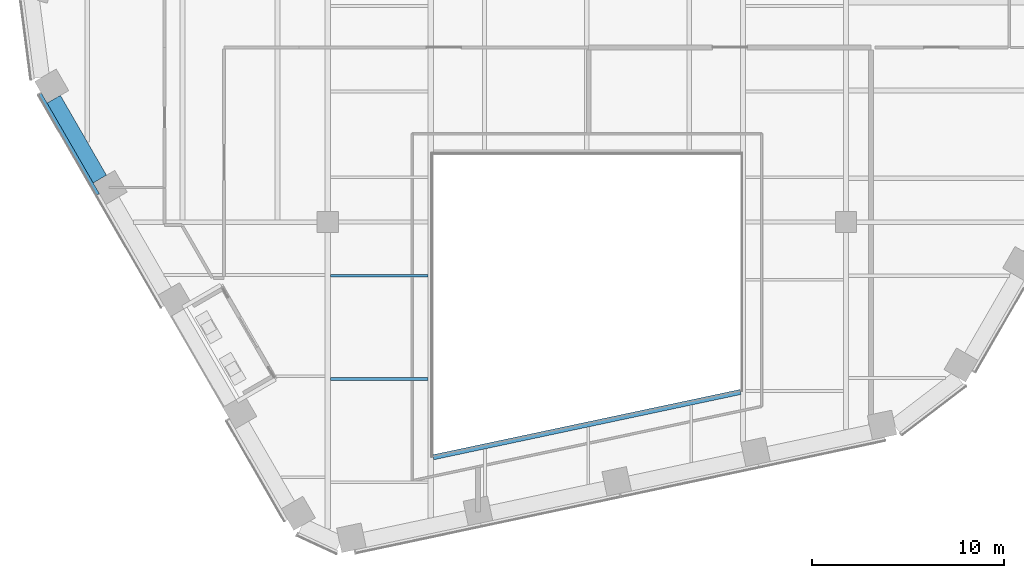
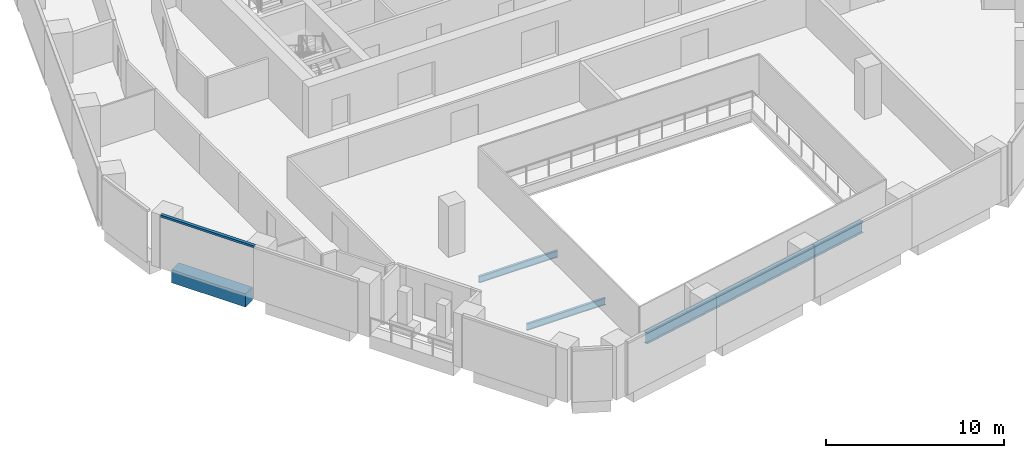
# One storey, part 3 of 26: 4 beams, 1 member, 1 element without a shape of its own.
"""IFC4 building model written with IfcOpenShell, lengths in metres."""

import ifcopenshell
import ifcopenshell.guid

model = None  # the IFC model being written
_history = None  # IfcOwnerHistory: only IFC2X3 demands one
_inside = {}  # id of a spatial element -> (the spatial element, [elements in it])
_under = {}  # id of a project, library or spatial element -> (it, [spatial elements below it])
_declared = {}  # id of a project -> (the project, [libraries it declares])
_typed = {}  # id of a type object -> (the type object, [elements of that type])
_made_of = {}  # id of a material, layer set ... -> (it, [elements and type objects made of it])


def new_model(schema):
    """Start an empty IFC model of exactly this schema.

    Asked for "IFC4X3", IfcOpenShell would pick the latest addendum, in which some entities
    have other attributes; the version numbers below select the first issue.
    IFC2X3 requires an IfcOwnerHistory on every rooted entity: one is made here for all.
    """
    global model, _history
    if schema == "IFC4X3":
        model = ifcopenshell.file(schema_version=(4, 3, 0, 0))
    else:
        model = ifcopenshell.file(schema=schema)
    _inside.clear()
    _under.clear()
    _declared.clear()
    _typed.clear()
    _made_of.clear()
    _history = None
    if model.schema == "IFC2X3":
        org = make("IfcOrganization", Name="unknown")
        user = make(
            "IfcPersonAndOrganization",
            ThePerson=make("IfcPerson", FamilyName="unknown"),
            TheOrganization=org,
        )
        app = make(
            "IfcApplication",
            ApplicationDeveloper=org,
            Version="unknown",
            ApplicationFullName="unknown",
            ApplicationIdentifier="unknown",
        )
        _history = make(
            "IfcOwnerHistory",
            OwningUser=user,
            OwningApplication=app,
            ChangeAction="ADDED",
            CreationDate=0,
        )
    return model


def make(cls, **values):
    """One entity of the class cls with the attributes given. An attribute that is None is left unset."""
    return model.create_entity(
        cls, **{name: value for name, value in values.items() if value is not None}
    )


def rooted(cls, **values):
    """An entity with a GlobalId (a new one), such as an element, a storey or a relation."""
    return make(cls, GlobalId=ifcopenshell.guid.new(), OwnerHistory=_history, **values)


def si_unit(unit_type, name, prefix=None):
    """IfcSIUnit, for example si_unit("LENGTHUNIT", "METRE", prefix="MILLI")."""
    return make("IfcSIUnit", UnitType=unit_type, Prefix=prefix, Name=name)


def assignment(units):
    """IfcUnitAssignment: the units of a project."""
    return None if units is None else make("IfcUnitAssignment", Units=units)


def point(xyz):
    """IfcCartesianPoint."""
    return None if xyz is None else make("IfcCartesianPoint", Coordinates=xyz)


def direction(xyz):
    """IfcDirection."""
    return None if xyz is None else make("IfcDirection", DirectionRatios=xyz)


def frame(location, z_axis=None, x_axis=None):
    """IfcAxis2Placement3D, a coordinate frame: its origin and axes. An axis left out is left unset."""
    return make(
        "IfcAxis2Placement3D",
        Location=point(location),
        Axis=direction(z_axis),
        RefDirection=direction(x_axis),
    )


def frame_2d(location, x_axis=None):
    """IfcAxis2Placement2D, a coordinate frame in the plane: its origin and x axis."""
    return make(
        "IfcAxis2Placement2D", Location=point(location), RefDirection=direction(x_axis)
    )


def origin():
    """The frame at (0, 0, 0) with its axes left unset."""
    return frame((0.0, 0.0, 0.0))


def origin_2d():
    """The frame at (0, 0) in the plane with its x axis left unset."""
    return frame_2d((0.0, 0.0))


def place(relative_to, where):
    """IfcLocalPlacement: puts the frame where relative to a parent placement (None: the world)."""
    return make(
        "IfcLocalPlacement", PlacementRelTo=relative_to, RelativePlacement=where
    )


def context(
    kind, dimensions, precision=None, world=None, true_north=None, identifier=None
):
    """IfcGeometricRepresentationContext, for example the 3D "Model" context."""
    return make(
        "IfcGeometricRepresentationContext",
        ContextIdentifier=identifier,
        ContextType=kind,
        CoordinateSpaceDimension=dimensions,
        Precision=precision,
        WorldCoordinateSystem=world,
        TrueNorth=true_north,
    )


def subcontext(parent, identifier, kind, view, scale=None):
    """IfcGeometricRepresentationSubContext, for example "Body" below "Model"."""
    return make(
        "IfcGeometricRepresentationSubContext",
        ContextIdentifier=identifier,
        ContextType=kind,
        ParentContext=parent,
        TargetScale=scale,
        TargetView=view,
    )


def project(units=None, contexts=None):
    """IfcProject with its units and contexts."""
    return rooted(
        "IfcProject",
        Name="project",
        RepresentationContexts=contexts,
        UnitsInContext=assignment(units),
    )


def spatial(cls, under=None, at=None, **own):
    """A site, building, storey or space (cls), placed at a placement, below another one or the project."""
    s = rooted(cls, ObjectPlacement=at, **own)
    if under is not None:
        _under.setdefault(under.id(), (under, []))[1].append(s)
    return s


def profile(cls, at=None, kind="AREA", **sizes):
    """A parametric profile (cls). Its sizes go by their IFC names, for example OverallWidth=200.0."""
    return make(cls, ProfileType=kind, Position=at, **sizes)


def rectangle(**sizes):
    """IfcRectangleProfileDef."""
    return profile("IfcRectangleProfileDef", **sizes)


def i_section(**sizes):
    """IfcIShapeProfileDef."""
    return profile("IfcIShapeProfileDef", **sizes)


def extrude(swept, where, along, depth):
    """IfcExtrudedAreaSolid: the profile swept, set in the frame where, extruded along a direction by depth."""
    return make(
        "IfcExtrudedAreaSolid",
        SweptArea=swept,
        Position=where,
        ExtrudedDirection=direction(along),
        Depth=depth,
    )


def shape(context_of_items, identifier, shape_type, items):
    """IfcShapeRepresentation: the items that make up one representation, for example the "Body"."""
    return make(
        "IfcShapeRepresentation",
        ContextOfItems=context_of_items,
        RepresentationIdentifier=identifier,
        RepresentationType=shape_type,
        Items=items,
    )


def material(Name=None, Category=None):
    """IfcMaterial."""
    return make("IfcMaterial", Name=Name, Category=Category)


def layer(
    of_material, thickness, ventilated=None, Name=None, Category=None, Priority=None
):
    """IfcMaterialLayer: one layer of a wall or slab, of a material (None: an air gap)."""
    return make(
        "IfcMaterialLayer",
        Material=of_material,
        LayerThickness=thickness,
        IsVentilated=ventilated,
        Name=Name,
        Category=Category,
        Priority=Priority,
    )


def layer_set(layers, Name=None):
    """IfcMaterialLayerSet."""
    return make("IfcMaterialLayerSet", MaterialLayers=layers, LayerSetName=Name)


def material_profile(
    of_material, cross_section, Name=None, Category=None, Priority=None
):
    """IfcMaterialProfile: a cross section and its material."""
    return make(
        "IfcMaterialProfile",
        Name=Name,
        Material=of_material,
        Profile=cross_section,
        Priority=Priority,
        Category=Category,
    )


def profile_set(profiles, Name=None, composite=None):
    """IfcMaterialProfileSet."""
    return make(
        "IfcMaterialProfileSet",
        Name=Name,
        MaterialProfiles=profiles,
        CompositeProfile=composite,
    )


def made_of(thing, what):
    """Note that an element or type object is made of a material, layer set ...; save() writes the relation."""
    if what is not None:
        _made_of.setdefault(what.id(), (what, []))[1].append(thing)
    return thing


def type_object(cls, material=None, **own):
    """A type object (cls), such as IfcWallType, which elements share."""
    return made_of(rooted(cls, **own), material)


def element(
    cls,
    number,
    at=None,
    inside=None,
    cuts=None,
    type_object=None,
    material=None,
    context=None,
    identifier="Body",
    shape_type=None,
    held_by="IfcProductDefinitionShape",
    body=None,
    shapes=None,
    **own,
):
    """One element of the class cls, such as IfcWall. Its Tag is "e" and its number.

    at: its placement. inside: the storey or other place that contains it. cuts: it is an
    opening in that element (IfcRelVoidsElement). A single representation is given by context,
    identifier, shape_type and body (its items); several are given by shapes. held_by: the class
    of the entity that holds the representations. save() writes the other relations.
    """
    e = rooted(cls, Tag="e%d" % number, ObjectPlacement=at, **own)
    if body is not None:
        shapes = [shape(context, identifier, shape_type, body)]
    if shapes is not None:
        e.Representation = make(held_by, Representations=shapes)
    if inside is not None:
        _inside.setdefault(inside.id(), (inside, []))[1].append(e)
    if cuts is not None:
        rooted(
            "IfcRelVoidsElement", RelatingBuildingElement=cuts, RelatedOpeningElement=e
        )
    if type_object is not None:
        _typed.setdefault(type_object.id(), (type_object, []))[1].append(e)
    return made_of(e, material)


def aggregate(whole, parts):
    """IfcRelAggregates: a whole, such as a stair, and the parts it consists of."""
    return rooted("IfcRelAggregates", RelatingObject=whole, RelatedObjects=parts)


def save(model, path):
    """Write the relations noted so far, then the file.

    IfcRelAggregates (storeys below a building ...), IfcRelContainedInSpatialStructure (elements
    in a storey), IfcRelDefinesByType, IfcRelAssociatesMaterial and IfcRelDeclares: one each for
    every whole, place, type object, material and project.
    """
    for whole, parts in _under.values():
        aggregate(whole, parts)
    for where, things in _inside.values():
        rooted(
            "IfcRelContainedInSpatialStructure",
            RelatedElements=things,
            RelatingStructure=where,
        )
    for kind, things in _typed.values():
        rooted("IfcRelDefinesByType", RelatedObjects=things, RelatingType=kind)
    for what, things in _made_of.values():
        rooted("IfcRelAssociatesMaterial", RelatedObjects=things, RelatingMaterial=what)
    for by, libraries in _declared.values():
        rooted("IfcRelDeclares", RelatingContext=by, RelatedDefinitions=libraries)
    model.write(path)


model = new_model("IFC4")

# Units and contexts
model_context = context("Model", 3, precision=1e-05, world=origin(), true_north=direction((0.0, 1.0)))
body_context = subcontext(model_context, "Body", "Model", "MODEL_VIEW")
ifc_project = project(units=[si_unit("LENGTHUNIT", "METRE"), si_unit("AREAUNIT", "SQUARE_METRE"), si_unit("VOLUMEUNIT", "CUBIC_METRE"), si_unit("PLANEANGLEUNIT", "RADIAN"), si_unit("MASSUNIT", "GRAM", prefix="KILO")], contexts=[model_context])

# Site, building, storey
site_placement = place(None, origin())
site = spatial("IfcSite", under=ifc_project, at=site_placement, CompositionType="ELEMENT")
building_placement = place(site_placement, origin())
building = spatial("IfcBuilding", under=site, at=building_placement, Name="Isthmus Gate Tower", CompositionType="ELEMENT")
storey_placement = place(building_placement, frame((0.0, 0.0, 189.050048828125)))
storey = spatial("IfcBuildingStorey", under=building, at=storey_placement, Name="L47", CompositionType="ELEMENT", Elevation=189.050048828125)

# Curtain wall, member
ifc_material_1 = material(Name="Aluminium, pale champagne anodised", Category="aluminium")
ifc_layer = layer(ifc_material_1, 0.199951171875)
ifc_layer_set = layer_set([ifc_layer], Name="CW-1 UNITISED CURTAIN WALL 200 DEEP")
curtain_wall_type = type_object("IfcCurtainWallType", Name="CW-1 UNITISED CURTAIN WALL 200 DEEP", PredefinedType="NOTDEFINED", material=ifc_layer_set)
curtain_wall_placement = place(storey_placement, origin())
curtain_wall = element("IfcCurtainWall", 1, at=curtain_wall_placement, inside=storey, type_object=curtain_wall_type, Name="CW-1 SW L47", PredefinedType="NOTDEFINED")
ifc_material_2 = material(Name="Aluminium, pale champagne anodised", Category="aluminium")
ifc_material_profile_1 = material_profile(ifc_material_2, rectangle(XDim=0.199951171875, YDim=0.139892578125, at=origin_2d()), Name="200x140")
ifc_profile_set_1 = profile_set([ifc_material_profile_1], Name="Aluminium, pale champagne anodised")
member_type = type_object("IfcMemberType", Name="CW-1 TRANSOM 200 X 140", PredefinedType="USERDEFINED", material=ifc_profile_set_1)
member_placement = place(storey_placement, frame((-28.49951171875, -6.837158203125, 3.579833984375), z_axis=(0.499990697366, -0.866030774596, 0.0), x_axis=(0.866030774596, 0.499990697366, 0.0)))
member = element("IfcMember", 2, at=member_placement, type_object=member_type, Name="CW-1 transom", ObjectType="TRANSOM", PredefinedType="USERDEFINED", context=body_context, shape_type="SweptSolid", body=[
    extrude(rectangle(XDim=0.199951171875, YDim=0.139892578125, at=origin_2d()), origin(), (0.0, 0.0, 1.0), 6.0400390625),
])
aggregate(curtain_wall, [member])

# Beams
ifc_material_3 = material(Name="Concrete f'c 60 MPa", Category="concrete")
ifc_material_profile_2 = material_profile(ifc_material_3, rectangle(XDim=0.800048828125, YDim=0.89990234375, at=origin_2d()), Name="RC 800X900")
ifc_profile_set_2 = profile_set([ifc_material_profile_2], Name="Concrete f'c 60 MPa")
beam_type_1 = type_object("IfcBeamType", Name="RC SPANDREL 800 X 900", PredefinedType="SPANDREL", material=ifc_profile_set_2)
beam_1_placement = place(storey_placement, frame((-25.37158203125, -11.255126953125, -0.449951171875), z_axis=(-0.499979284789, 0.866037363387, 0.0), x_axis=(-0.866037363387, -0.499979284789, 0.0)))
element("IfcBeam", 3, at=beam_1_placement, inside=storey, type_object=beam_type_1, Name="str-spandrel-L47-19", PredefinedType="SPANDREL", context=body_context, shape_type="SweptSolid", body=[
    extrude(rectangle(XDim=0.800048828125, YDim=0.89990234375, at=origin_2d()), origin(), (0.0, 0.0, 1.0), 4.800048828125),
])
ifc_material_4 = material(Name="Structural steel ASTM A992 Gr 50", Category="steel")
ifc_material_profile_3 = material_profile(ifc_material_4, i_section(OverallWidth=0.15234375, OverallDepth=0.45068359375, WebThickness=0.0078125, FlangeThickness=0.010986328125, at=origin_2d()), Name="W18X35")
ifc_profile_set_3 = profile_set([ifc_material_profile_3], Name="Structural steel ASTM A992 Gr 50")
beam_type_2 = type_object("IfcBeamType", Name="STEEL FLOOR BEAM W18X35", PredefinedType="JOIST", material=ifc_profile_set_3)
for number, where, z_axis, x_axis, name in (
    (4, (-13.36669921875, -21.67041015625, -0.37548828125), (1.0, 0.0, 0.0), (0.0, 1.0, 0.0), "str-beam-L47-05-01"),
    (5, (-13.36669921875, -16.293212890625, -0.37548828125), (1.0, 0.0, 0.0), (0.0, 1.0, 0.0), "str-beam-L47-05-02"),
):
    element("IfcBeam", number, at=place(storey_placement, frame(where, z_axis=z_axis, x_axis=x_axis)), inside=storey, type_object=beam_type_2, Name=name, PredefinedType="JOIST", context=body_context, shape_type="SweptSolid", body=[
        extrude(i_section(OverallWidth=0.15234375, OverallDepth=0.45068359375, WebThickness=0.0078125, FlangeThickness=0.010986328125, at=origin_2d()), origin(), (0.0, 0.0, 1.0), 5.10009765625),
    ])
ifc_material_5 = material(Name="Structural steel ASTM A992 Gr 50", Category="steel")
ifc_material_profile_4 = material_profile(ifc_material_5, i_section(OverallWidth=0.2666015625, OverallDepth=0.7587890625, WebThickness=0.014404296875, FlangeThickness=0.01904296875, at=origin_2d()), Name="W30X108")
ifc_profile_set_4 = profile_set([ifc_material_profile_4], Name="Structural steel ASTM A992 Gr 50")
beam_type_3 = type_object("IfcBeamType", Name="STEEL TRIMMER W30X108", PredefinedType="BEAM", material=ifc_profile_set_4)
beam_2_placement = place(storey_placement, frame((-8.0, -25.747314453125, -0.529541015625), z_axis=(0.978147924985, 0.20791016533, 0.0), x_axis=(-0.20791016533, 0.978147924985, 0.0)))
element("IfcBeam", 6, at=beam_2_placement, inside=storey, type_object=beam_type_3, Name="str-trimmer-L47-03", PredefinedType="BEAM", context=body_context, shape_type="SweptSolid", body=[
    extrude(i_section(OverallWidth=0.2666015625, OverallDepth=0.7587890625, WebThickness=0.014404296875, FlangeThickness=0.01904296875, at=origin_2d()), origin(), (0.0, 0.0, 1.0), 16.357421875),
])

save(model, "model.ifc")
